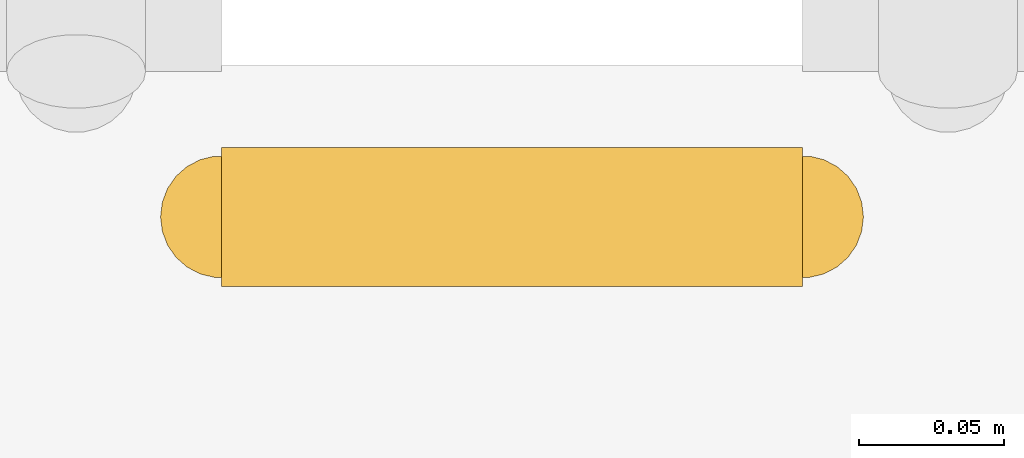
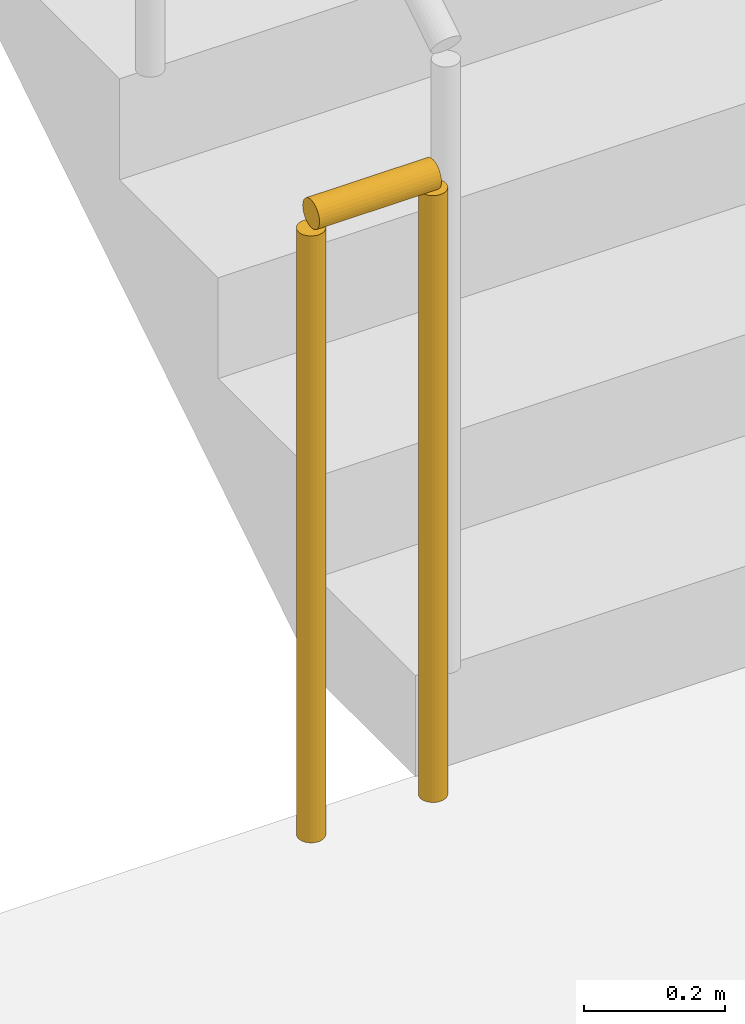
# One storey, part 10 of 20: 1 railing.
"""IFC4 building model written with IfcOpenShell, lengths in metres."""

from ifc_helpers import new_model, si_unit, direction, frame, origin, origin_2d, place, context, subcontext, project, spatial, circle, extrude, material, type_object, element, save


model = new_model("IFC4")

# Units and contexts
model_context = context("Model", 3, precision=1e-05, world=origin(), true_north=direction((0.0, 1.0)))
body_context = subcontext(model_context, "Body", "Model", "MODEL_VIEW")
ifc_project = project(units=[si_unit("LENGTHUNIT", "METRE"), si_unit("AREAUNIT", "SQUARE_METRE"), si_unit("VOLUMEUNIT", "CUBIC_METRE"), si_unit("PLANEANGLEUNIT", "RADIAN"), si_unit("MASSUNIT", "GRAM", prefix="KILO")], contexts=[model_context])

# Site, building, storey
site_placement = place(None, origin())
site = spatial("IfcSite", under=ifc_project, at=site_placement, CompositionType="ELEMENT")
building_placement = place(site_placement, origin())
building = spatial("IfcBuilding", under=site, at=building_placement, Name="Kiln Ring Residences", CompositionType="ELEMENT")
storey_placement = place(building_placement, frame((0.0, 0.0, 206.39990234375)))
storey = spatial("IfcBuildingStorey", under=building, at=storey_placement, Name="L53", CompositionType="ELEMENT", Elevation=206.39990234375)

# Railing
ifc_material = material(Name="Stainless steel", Category="steel")
railing_type = type_object("IfcRailingType", Name="CORE-STAIR-GUARD", PredefinedType="GUARDRAIL", material=ifc_material)
railing_placement = place(storey_placement, frame((-22.0, -8.449951171875, 0.0)))
element("IfcRailing", 1, at=railing_placement, inside=storey, type_object=railing_type, Name="L53 W-STS stair guard 4", PredefinedType="GUARDRAIL", context=body_context, shape_type="SweptSolid", body=[
    extrude(circle(Radius=0.02392578125, at=origin_2d()), frame((0.0, 0.0, 1.076171875), z_axis=(-1.0, 0.0, 0.0), x_axis=(0.0, -1.0, 0.0)), (0.0, 0.0, 1.0), 0.199951171875),
    extrude(circle(Radius=0.02099609375, at=origin_2d()), origin(), (0.0, 0.0, 1.0), 1.052001953125),
    extrude(circle(Radius=0.02099609375, at=origin_2d()), frame((-0.199951171875, 0.0, 0.0)), (0.0, 0.0, 1.0), 1.052001953125),
])

save(model, "model.ifc")
